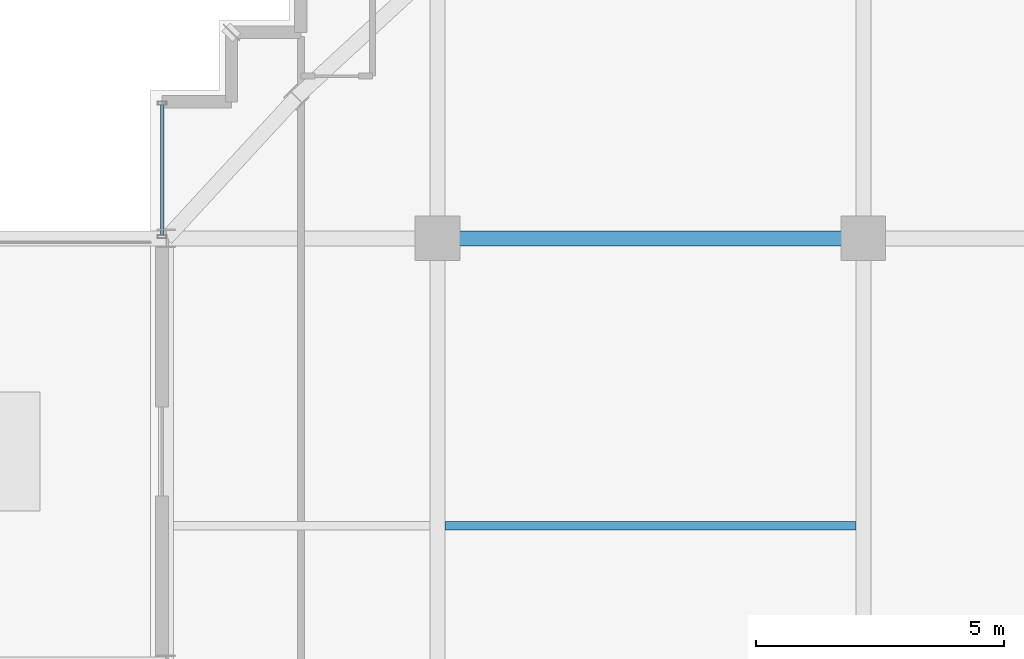
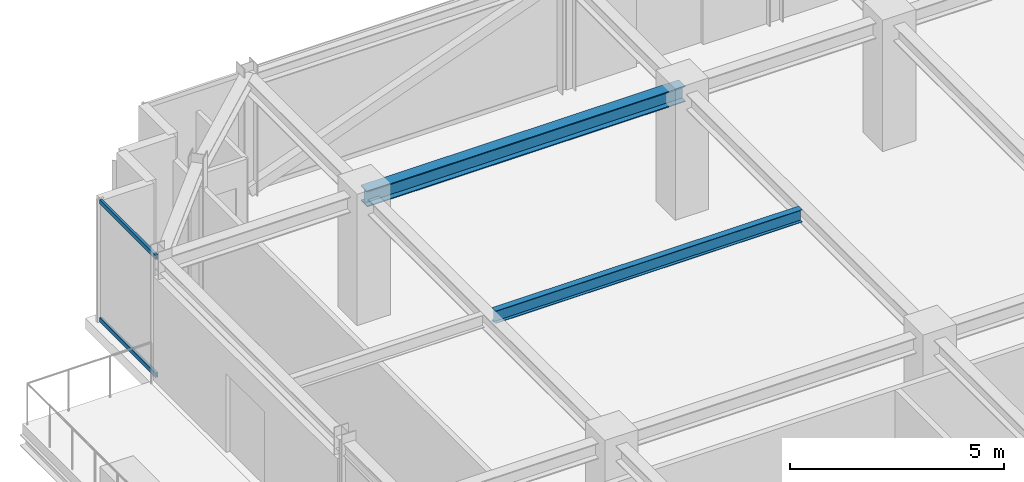
# One storey, part 18 of 36: 2 beams, 2 members, 1 element without a shape of its own.
"""IFC4 building model written with IfcOpenShell, lengths in metres."""

from ifc_helpers import new_model, si_unit, direction, frame, origin, origin_2d, place, context, subcontext, project, spatial, hollow_rectangle, i_section, extrude, source, transform, mapped, material, material_profile, profile_set, type_object, element, aggregate, save


model = new_model("IFC4")

# Units and contexts
model_context = context("Model", 3, precision=1e-05, world=origin(), true_north=direction((0.0, 1.0)))
body_context = subcontext(model_context, "Body", "Model", "MODEL_VIEW")
ifc_project = project(units=[si_unit("LENGTHUNIT", "METRE"), si_unit("AREAUNIT", "SQUARE_METRE"), si_unit("VOLUMEUNIT", "CUBIC_METRE"), si_unit("PLANEANGLEUNIT", "RADIAN"), si_unit("MASSUNIT", "GRAM", prefix="KILO")], contexts=[model_context])

# Site, building, storey
site_placement = place(None, origin())
site = spatial("IfcSite", under=ifc_project, at=site_placement, CompositionType="ELEMENT")
building_placement = place(site_placement, origin())
building = spatial("IfcBuilding", under=site, at=building_placement, Name="Nahalor Promenade Grand Hotel", CompositionType="ELEMENT")
storey_placement = place(building_placement, frame((0.0, 0.0, 319.550048828125)))
storey = spatial("IfcBuildingStorey", under=building, at=storey_placement, Name="L82", CompositionType="ELEMENT", Elevation=319.550048828125)

# Beams
ifc_material_1 = material(Name="Steel S355JR", Category="steel")
ifc_material_profile_1 = material_profile(ifc_material_1, i_section(OverallWidth=0.3, OverallDepth=0.45, WebThickness=0.014, FlangeThickness=0.026, at=origin_2d()), Name="HEB 450")
ifc_profile_set_1 = profile_set([ifc_material_profile_1], Name="Steel S355JR")
beam_type_1 = type_object("IfcBeamType", Name="Beam-Girder-HEB450", PredefinedType="BEAM", material=ifc_profile_set_1)
shared_shape_1 = source(origin(), body_context, "Body", "SweptSolid", [
    extrude(i_section(OverallWidth=0.3, OverallDepth=0.45, WebThickness=0.014, FlangeThickness=0.026, at=origin_2d()), origin(), (0.0, 0.0, 1.0), 8.60009765625),
])
beam_1_placement = place(storey_placement, frame((-17.0, 17.0, 3.27490234375), z_axis=(1.0, 0.0, 0.0), x_axis=(0.0, 1.0, 0.0)))
element("IfcBeam", 1, at=beam_1_placement, inside=storey, type_object=beam_type_1, Name="BM-L82-GX-3-1", PredefinedType="BEAM", context=body_context, shape_type="MappedRepresentation", body=[
    mapped(shared_shape_1, transform((0.0, 0.0, 0.0), scale=1.0)),
])
ifc_material_profile_2 = material_profile(ifc_material_1, i_section(OverallWidth=0.17, OverallDepth=0.36, WebThickness=0.008, FlangeThickness=0.0127, at=origin_2d()), Name="IPE 360")
ifc_profile_set_2 = profile_set([ifc_material_profile_2], Name="Steel S355JR")
beam_type_2 = type_object("IfcBeamType", Name="Beam-Joist-IPE360", PredefinedType="JOIST", material=ifc_profile_set_2)
shared_shape_2 = source(origin(), body_context, "Body", "SweptSolid", [
    extrude(i_section(OverallWidth=0.17, OverallDepth=0.36, WebThickness=0.008, FlangeThickness=0.0127, at=origin_2d()), origin(), (0.0, 0.0, 1.0), 8.300048828125),
])
beam_2_placement = place(storey_placement, frame((-16.85009765625, 11.199951171875, 3.320068359375), z_axis=(1.0, 0.0, 0.0), x_axis=(0.0, 1.0, 0.0)))
element("IfcBeam", 2, at=beam_2_placement, inside=storey, type_object=beam_type_2, Name="BM-L82-JSW-1-1", PredefinedType="JOIST", context=body_context, shape_type="MappedRepresentation", body=[
    mapped(shared_shape_2, transform((0.0, 0.0, 0.0), scale=1.0)),
])

# Curtain wall, members
ifc_material_2 = material(Name="Anodised Bronze Aluminium EN AW-6063 T6", Category="aluminium")
curtain_wall_type = type_object("IfcCurtainWallType", Name="CW2 Typical Hotel Flush Bronze Unitised Curtain Wall", PredefinedType="USERDEFINED", material=ifc_material_2)
curtain_wall_placement = place(storey_placement, origin())
curtain_wall = element("IfcCurtainWall", 3, at=curtain_wall_placement, inside=storey, type_object=curtain_wall_type, Name="L82 Curtain Wall CW-L82-W-3", ObjectType="UNITISED_CURTAIN_WALL", PredefinedType="USERDEFINED")
ifc_material_profile_3 = material_profile(ifc_material_2, hollow_rectangle(XDim=0.065, YDim=0.13, WallThickness=0.004, at=origin_2d()), Name="CWT 65x130x4")
ifc_profile_set_3 = profile_set([ifc_material_profile_3], Name="Anodised Bronze Aluminium EN AW-6063 T6")
member_type = type_object("IfcMemberType", Name="CWT2 Typical Bronze Transom 65x130", PredefinedType="USERDEFINED", material=ifc_profile_set_3)
shared_shape_3 = source(origin(), body_context, "Body", "SweptSolid", [
    extrude(hollow_rectangle(XDim=0.065, YDim=0.13, WallThickness=0.004, at=origin_2d()), origin(), (0.0, 0.0, 1.0), 2.630126953125),
])
member_1_placement = place(storey_placement, frame((-22.56005859375, 17.06494140625, 0.06494140625), z_axis=(0.0, 1.0, 0.0), x_axis=(-1.0, 0.0, 0.0)))
member_1 = element("IfcMember", 4, at=member_1_placement, type_object=member_type, Name="CW-L82-W-3 Transom 0-0", ObjectType="TRANSOM", PredefinedType="USERDEFINED", context=body_context, shape_type="MappedRepresentation", body=[
    mapped(shared_shape_3, transform((0.0, 0.0, 0.0), scale=1.0)),
])
member_2_placement = place(storey_placement, frame((-22.56005859375, 17.06494140625, 3.43505859375), z_axis=(0.0, 1.0, 0.0), x_axis=(-1.0, 0.0, 0.0)))
member_2 = element("IfcMember", 5, at=member_2_placement, type_object=member_type, Name="CW-L82-W-3 Transom 0-1", ObjectType="TRANSOM", PredefinedType="USERDEFINED", context=body_context, shape_type="MappedRepresentation", body=[
    mapped(shared_shape_3, transform((0.0, 0.0, 0.0), scale=1.0)),
])
aggregate(curtain_wall, [member_1, member_2])

save(model, "model.ifc")
